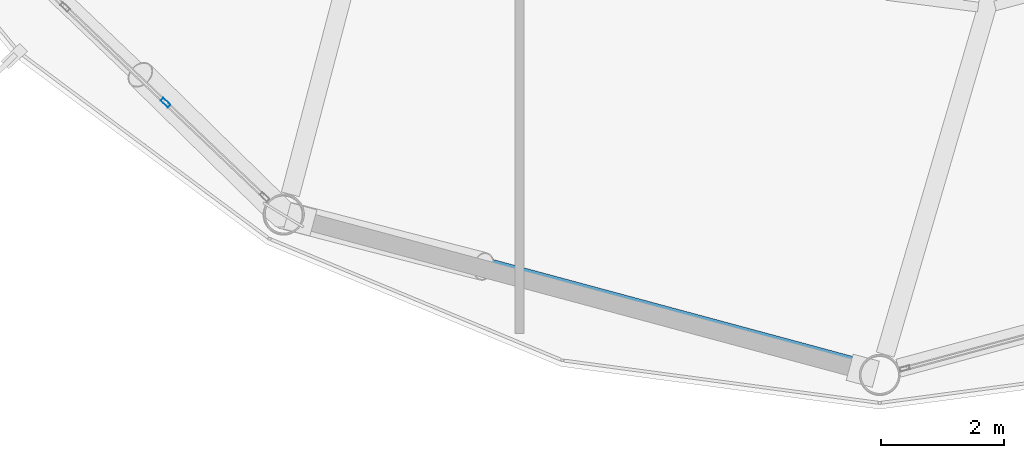
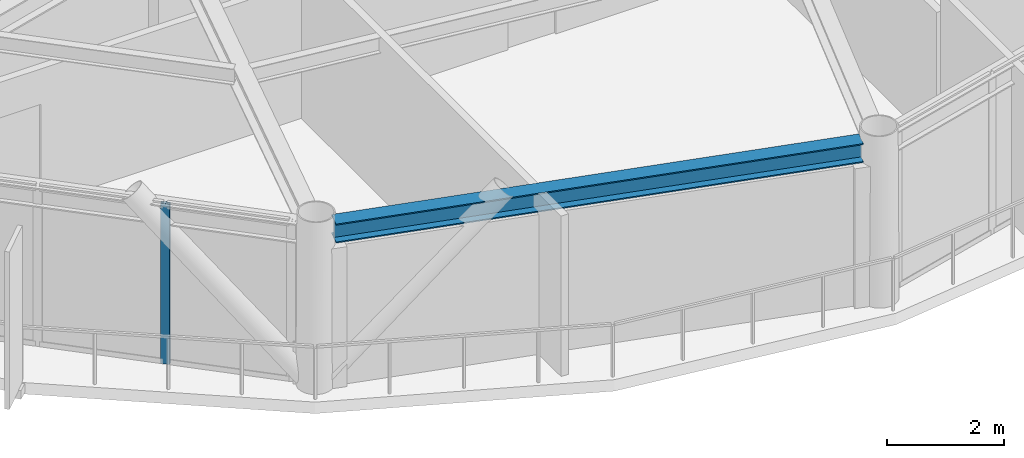
# One storey, part 3 of 28: 1 beam, 1 member, 1 element without a shape of its own.
"""IFC4 building model written with IfcOpenShell, lengths in metres."""

from ifc_helpers import new_model, si_unit, direction, frame, origin, origin_2d, place, context, subcontext, project, spatial, hollow_rectangle, i_section, extrude, material, layer, layer_set, material_profile, profile_set, type_object, element, aggregate, save


model = new_model("IFC4")

# Units and contexts
model_context = context("Model", 3, precision=1e-05, world=origin(), true_north=direction((0.0, 1.0)))
body_context = subcontext(model_context, "Body", "Model", "MODEL_VIEW")
ifc_project = project(units=[si_unit("LENGTHUNIT", "METRE"), si_unit("AREAUNIT", "SQUARE_METRE"), si_unit("VOLUMEUNIT", "CUBIC_METRE"), si_unit("PLANEANGLEUNIT", "RADIAN"), si_unit("MASSUNIT", "GRAM", prefix="KILO")], contexts=[model_context])

# Site, building, storey
site_placement = place(None, origin())
site = spatial("IfcSite", under=ifc_project, at=site_placement, CompositionType="ELEMENT")
building_placement = place(site_placement, origin())
building = spatial("IfcBuilding", under=site, at=building_placement, Name="Varnakorn Sky Granary", CompositionType="ELEMENT")
storey_placement = place(building_placement, frame((0.0, 0.0, 193.199951171875)))
storey = spatial("IfcBuildingStorey", under=building, at=storey_placement, Name="L48", CompositionType="ELEMENT", Elevation=193.199951171875)

# Beam
ifc_material_1 = material(Name="Steel S355JR", Category="steel")
ifc_material_profile_1 = material_profile(ifc_material_1, i_section(OverallWidth=0.300048828125, OverallDepth=0.39990234375, WebThickness=0.013427734375, FlangeThickness=0.02392578125, at=origin_2d()), Name="HE 400 B")
ifc_profile_set_1 = profile_set([ifc_material_profile_1], Name="Steel S355JR")
beam_type = type_object("IfcBeamType", Name="BM-SPD-Z4", PredefinedType="SPANDREL", material=ifc_profile_set_1)
beam_placement = place(storey_placement, frame((-4.50048828125, -16.02734375, 3.16015625), z_axis=(0.965557364006, -0.260190270405, 0.0), x_axis=(0.260190270405, 0.965557364006, 0.0)))
element("IfcBeam", 1, at=beam_placement, inside=storey, type_object=beam_type, Name="Perimeter Spandrel Ring Beam RB09 L48", PredefinedType="SPANDREL", context=body_context, shape_type="SweptSolid", body=[
    extrude(i_section(OverallWidth=0.300048828125, OverallDepth=0.39990234375, WebThickness=0.013427734375, FlangeThickness=0.02392578125, at=origin_2d()), origin(), (0.0, 0.0, 1.0), 9.369140625),
])

# Curtain wall, member
ifc_material_2 = material(Name="Anodised Bronze Aluminium Alloy 6063-T6", Category="aluminium")
ifc_layer = layer(ifc_material_2, 0.169921875, Name="Anodised Bronze Aluminium Alloy 6063-T6")
ifc_layer_set = layer_set([ifc_layer], Name="Anodised Bronze Aluminium Alloy 6063-T6")
curtain_wall_type = type_object("IfcCurtainWallType", Name="CW-LAB-1", PredefinedType="USERDEFINED", material=ifc_layer_set)
curtain_wall_placement = place(storey_placement, origin())
curtain_wall = element("IfcCurtainWall", 2, at=curtain_wall_placement, inside=storey, type_object=curtain_wall_type, Name="Unitised Curtain Wall CW5 CW-L48-B08", ObjectType="CURTAIN WALL", PredefinedType="USERDEFINED")
ifc_material_profile_2 = material_profile(ifc_material_2, hollow_rectangle(XDim=0.06494140625, YDim=0.159912109375, WallThickness=0.00341796875, at=origin_2d()), Name="ALU MULL 65x160")
ifc_profile_set_2 = profile_set([ifc_material_profile_2], Name="Anodised Bronze Aluminium Alloy 6063-T6")
member_type = type_object("IfcMemberType", Name="CW-LAB-1-MULL", PredefinedType="MULLION", material=ifc_profile_set_2)
member_placement = place(storey_placement, frame((-6.752197265625, -14.15234375, 0.0), z_axis=(0.0, 0.0, 1.0), x_axis=(-0.689516343161, -0.724270123996, 0.0)))
member = element("IfcMember", 3, at=member_placement, type_object=member_type, Name="CW5 mullion 2", PredefinedType="MULLION", context=body_context, shape_type="SweptSolid", body=[
    extrude(hollow_rectangle(XDim=0.06494140625, YDim=0.159912109375, WallThickness=0.00341796875, at=origin_2d()), origin(), (0.0, 0.0, 1.0), 3.360107421875),
])
aggregate(curtain_wall, [member])

save(model, "model.ifc")
